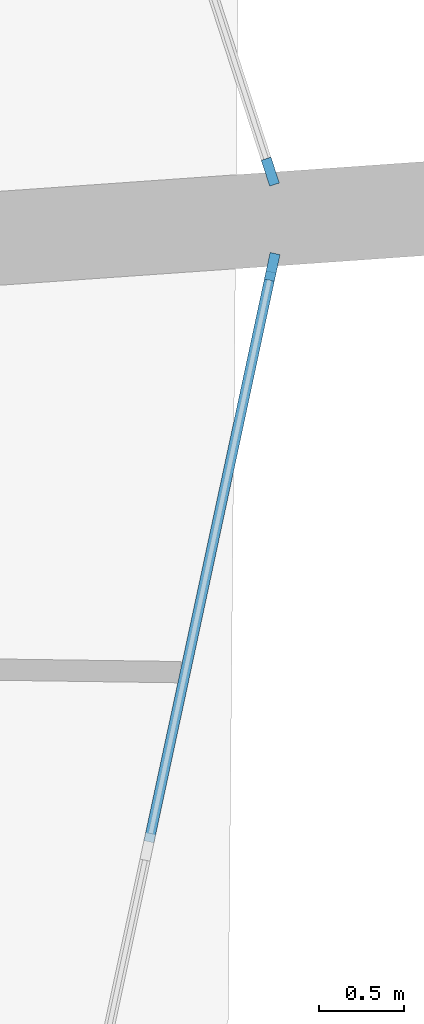
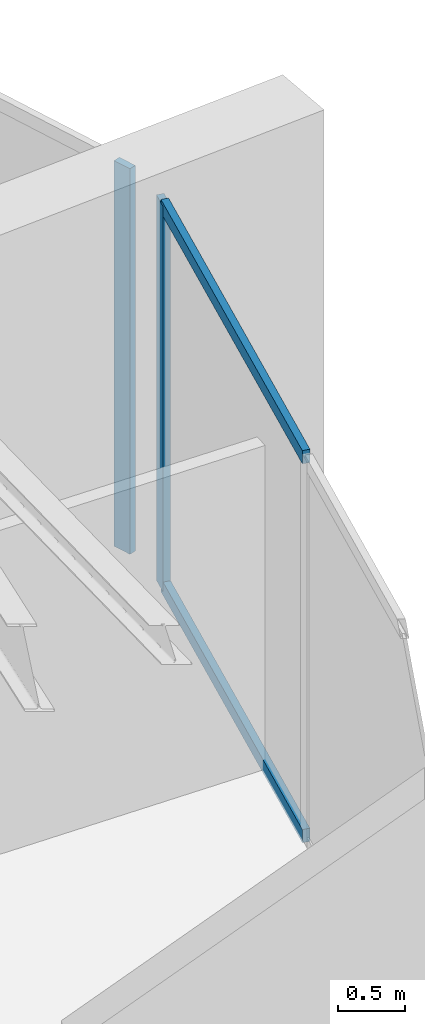
# One storey, part 17 of 31: 4 members, 2 elements without a shape of their own.
"""IFC4 building model written with IfcOpenShell, lengths in metres."""

from ifc_helpers import new_model, si_unit, direction, frame, origin, origin_2d, place, context, subcontext, project, spatial, rectangle, extrude, material, layer, layer_set, material_profile, profile_set, type_object, element, aggregate, save


model = new_model("IFC4")

# Units and contexts
model_context = context("Model", 3, precision=1e-05, world=origin(), true_north=direction((0.0, 1.0)))
body_context = subcontext(model_context, "Body", "Model", "MODEL_VIEW")
ifc_project = project(units=[si_unit("LENGTHUNIT", "METRE"), si_unit("AREAUNIT", "SQUARE_METRE"), si_unit("VOLUMEUNIT", "CUBIC_METRE"), si_unit("PLANEANGLEUNIT", "RADIAN"), si_unit("MASSUNIT", "GRAM", prefix="KILO")], contexts=[model_context])

# Site, building, storey
site_placement = place(None, origin())
site = spatial("IfcSite", under=ifc_project, at=site_placement, CompositionType="ELEMENT")
building_placement = place(site_placement, origin())
building = spatial("IfcBuilding", under=site, at=building_placement, Name="Kazma Halo Residences", CompositionType="ELEMENT")
storey_placement = place(building_placement, frame((0.0, 0.0, 45.14990234375)))
storey = spatial("IfcBuildingStorey", under=building, at=storey_placement, Name="L10", CompositionType="ELEMENT", Elevation=45.14990234375)

# Curtain wall, member
ifc_material_1 = material(Name="Aluminium AW-6063 T6 and Triple-Silver Low-E Glass", Category="aluminium")
ifc_layer = layer(ifc_material_1, 0.159912109375)
ifc_layer_set = layer_set([ifc_layer], Name="Aluminium AW-6063 T6 and Triple-Silver Low-E Glass")
curtain_wall_type = type_object("IfcCurtainWallType", Name="CW-SYS-2", PredefinedType="NOTDEFINED", material=ifc_layer_set)
curtain_wall_1_placement = place(storey_placement, origin())
curtain_wall_1 = element("IfcCurtainWall", 1, at=curtain_wall_1_placement, inside=storey, type_object=curtain_wall_type, Name="L10 unitised curtain wall B15", PredefinedType="NOTDEFINED")
ifc_material_2 = material(Name="Aluminium AW-6063 T6", Category="aluminium")
ifc_material_profile_1 = material_profile(ifc_material_2, rectangle(XDim=0.06005859375, YDim=0.159912109375, at=origin_2d()), Name="CWM-60x160")
ifc_profile_set_1 = profile_set([ifc_material_profile_1], Name="Aluminium AW-6063 T6")
member_type_1 = type_object("IfcMemberType", Name="CW-SYS-2-MUL", PredefinedType="MULLION", material=ifc_profile_set_1)
member_1_placement = place(storey_placement, frame((79.74951171875, 43.940673828125, 0.0), z_axis=(0.0, 0.0, 1.0), x_axis=(-0.977779215096, 0.209637321406, 0.0)))
member_1 = element("IfcMember", 2, at=member_1_placement, type_object=member_type_1, Name="CWS-2 mullion 4", PredefinedType="MULLION", context=body_context, shape_type="SweptSolid", body=[
    extrude(rectangle(XDim=0.06005859375, YDim=0.159912109375, at=origin_2d()), origin(), (0.0, 0.0, 1.0), 3.5),
])

curtain_wall_2_placement = place(storey_placement, origin())
curtain_wall_2 = element("IfcCurtainWall", 3, at=curtain_wall_2_placement, inside=storey, type_object=curtain_wall_type, Name="L10 unitised curtain wall B16", PredefinedType="NOTDEFINED")
member_2_placement = place(storey_placement, frame((79.73828125, 44.499267578125, 0.0), z_axis=(0.0, 0.0, 1.0), x_axis=(-0.95105652404, -0.309016970539, 0.0)))
member_2 = element("IfcMember", 4, at=member_2_placement, type_object=member_type_1, Name="CWS-2 mullion 1", PredefinedType="MULLION", context=body_context, shape_type="SweptSolid", body=[
    extrude(rectangle(XDim=0.06005859375, YDim=0.159912109375, at=origin_2d()), origin(), (0.0, 0.0, 1.0), 3.5),
])
aggregate(curtain_wall_2, [member_2])

# Member
ifc_material_profile_2 = material_profile(ifc_material_2, rectangle(XDim=0.06005859375, YDim=0.1201171875, at=origin_2d()), Name="CWT-60x120")
ifc_profile_set_2 = profile_set([ifc_material_profile_2], Name="Aluminium AW-6063 T6")
member_type_2 = type_object("IfcMemberType", Name="CW-SYS-2-TRN", PredefinedType="USERDEFINED", material=ifc_profile_set_2)
member_3_placement = place(storey_placement, frame((79.025634765625, 40.565185546875, 0.030029296875), z_axis=(0.209665500897, 0.977773172946, 0.0), x_axis=(-0.977773172946, 0.209665500897, 0.0)))
member_3 = element("IfcMember", 5, at=member_3_placement, type_object=member_type_2, Name="CWS-2 transom 3.1", ObjectType="TRANSOM", PredefinedType="USERDEFINED", context=body_context, shape_type="SweptSolid", body=[
    extrude(rectangle(XDim=0.06005859375, YDim=0.1201171875, at=origin_2d()), origin(), (0.0, 0.0, 1.0), 3.42236328125),
])

member_4_placement = place(storey_placement, frame((79.025634765625, 40.565185546875, 3.47021484375), z_axis=(0.209665500897, 0.977773172946, 0.0), x_axis=(-0.977773172946, 0.209665500897, 0.0)))
member_4 = element("IfcMember", 6, at=member_4_placement, type_object=member_type_2, Name="CWS-2 transom 3.2", ObjectType="TRANSOM", PredefinedType="USERDEFINED", context=body_context, shape_type="SweptSolid", body=[
    extrude(rectangle(XDim=0.06005859375, YDim=0.1201171875, at=origin_2d()), origin(), (0.0, 0.0, 1.0), 3.42236328125),
])

aggregate(curtain_wall_1, [member_1, member_3, member_4])

save(model, "model.ifc")
